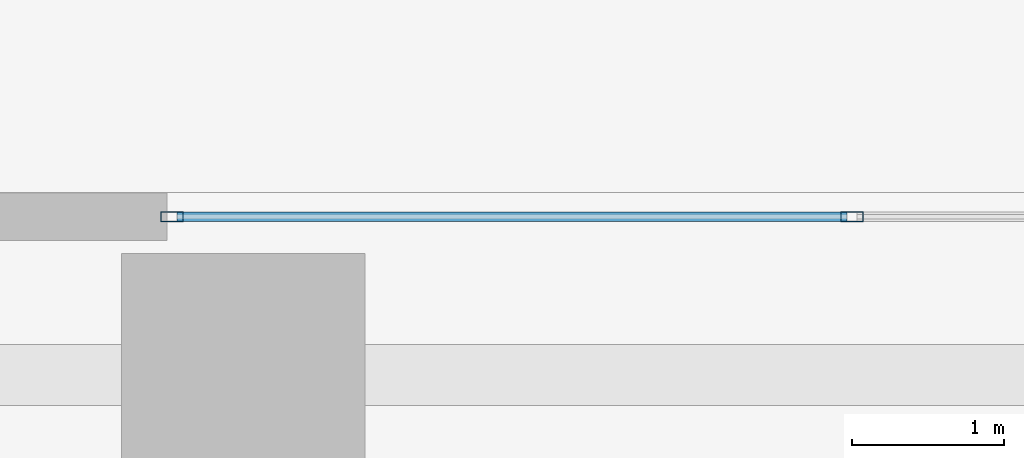
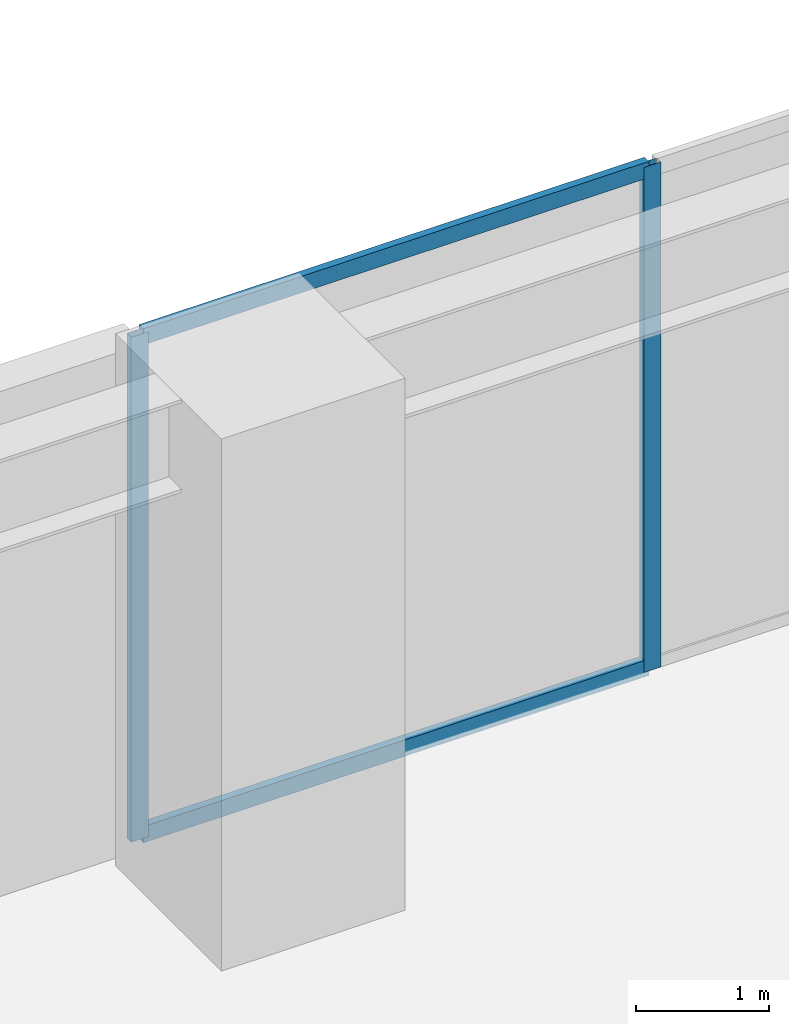
# One storey, part 11 of 28: 4 members, 1 element without a shape of its own.
"""IFC4 building model written with IfcOpenShell, lengths in metres."""

from ifc_helpers import new_model, si_unit, direction, frame, origin, origin_2d, place, context, subcontext, project, spatial, hollow_rectangle, extrude, source, transform, mapped, material, layer, layer_set, material_profile, profile_set, type_object, type_shapes, element, aggregate, save


model = new_model("IFC4")

# Units and contexts
model_context = context("Model", 3, precision=1e-05, world=origin(), true_north=direction((0.0, 1.0)))
body_context = subcontext(model_context, "Body", "Model", "MODEL_VIEW")
ifc_project = project(units=[si_unit("LENGTHUNIT", "METRE"), si_unit("AREAUNIT", "SQUARE_METRE"), si_unit("VOLUMEUNIT", "CUBIC_METRE"), si_unit("PLANEANGLEUNIT", "RADIAN"), si_unit("MASSUNIT", "GRAM", prefix="KILO")], contexts=[model_context])

# Site, building, storey
site_placement = place(None, origin())
site = spatial("IfcSite", under=ifc_project, at=site_placement, CompositionType="ELEMENT")
building_placement = place(site_placement, origin())
building = spatial("IfcBuilding", under=site, at=building_placement, Name="Talar Marvaseh", CompositionType="ELEMENT")
storey_placement = place(building_placement, origin())
storey = spatial("IfcBuildingStorey", under=building, at=storey_placement, Name="L00", CompositionType="ELEMENT", Elevation=0.0)

# Curtain wall, members
ifc_material = material(Name="Architectural Aluminium", Category="aluminium")
ifc_layer = layer(ifc_material, 0.25)
ifc_layer_set = layer_set([ifc_layer], Name="Architectural Aluminium")
curtain_wall_type = type_object("IfcCurtainWallType", Name="Station Podium Monumental Iwan Curtain Wall", PredefinedType="NOTDEFINED", material=ifc_layer_set)
curtain_wall_placement = place(storey_placement, origin())
curtain_wall = element("IfcCurtainWall", 1, at=curtain_wall_placement, inside=storey, type_object=curtain_wall_type, Name="L00 Station Podium Monumental Iwan Curtain Wall", PredefinedType="NOTDEFINED")
ifc_material_profile_1 = material_profile(ifc_material, hollow_rectangle(XDim=0.06494140625, YDim=0.14990234375, WallThickness=0.00390625, at=origin_2d()), Name="RHS150x65x4")
ifc_profile_set_1 = profile_set([ifc_material_profile_1], Name="Architectural Aluminium")
member_type_1 = type_object("IfcMemberType", Name="Unitised Curtain Wall Slim Mullion RHS150x65x4", PredefinedType="MULLION", material=ifc_profile_set_1)
shared_shape_1 = source(origin(), body_context, "Body", "SweptSolid", [
    extrude(hollow_rectangle(XDim=0.06494140625, YDim=0.14990234375, WallThickness=0.00390625, at=origin_2d()), origin(), (0.0, 0.0, 1.0), 4.64990234375),
])
type_shapes(member_type_1, [shared_shape_1])
member_1_placement = place(storey_placement, frame((18.032470703125, 47.840087890625, 0.0), z_axis=(0.0, 0.0, 1.0), x_axis=(0.0, 1.0, 0.0)))
member_1 = element("IfcMember", 2, at=member_1_placement, type_object=member_type_1, Name="CW-POD mullion 1", PredefinedType="MULLION", context=body_context, shape_type="MappedRepresentation", body=[
    mapped(shared_shape_1, transform((0.0, 0.0, 0.0), x_axis=(1.0, 0.0, 0.0), y_axis=(0.0, 1.0, 0.0), z_axis=(0.0, 0.0, 1.0), scale=1.0)),
])
member_2_placement = place(storey_placement, frame((22.5, 47.840087890625, 0.0), z_axis=(0.0, 0.0, 1.0), x_axis=(0.0, 1.0, 0.0)))
member_2 = element("IfcMember", 3, at=member_2_placement, type_object=member_type_1, Name="CW-POD mullion 2", PredefinedType="MULLION", context=body_context, shape_type="MappedRepresentation", body=[
    mapped(shared_shape_1, transform((0.0, 0.0, 0.0), x_axis=(1.0, 0.0, 0.0), y_axis=(0.0, 1.0, 0.0), z_axis=(0.0, 0.0, 1.0), scale=1.0)),
])
ifc_material_profile_2 = material_profile(ifc_material, hollow_rectangle(XDim=0.06494140625, YDim=0.14990234375, WallThickness=0.00390625, at=origin_2d()), Name="RHS150x65x4")
ifc_profile_set_2 = profile_set([ifc_material_profile_2], Name="Architectural Aluminium")
member_type_2 = type_object("IfcMemberType", Name="Unitised Curtain Wall Slim Transom RHS150x65x4", PredefinedType="USERDEFINED", material=ifc_profile_set_2)
shared_shape_2 = source(origin(), body_context, "Body", "SweptSolid", [
    extrude(hollow_rectangle(XDim=0.06494140625, YDim=0.14990234375, WallThickness=0.00390625, at=origin_2d()), origin(), (0.0, 0.0, 1.0), 4.402587890625),
])
type_shapes(member_type_2, [shared_shape_2])
member_3_placement = place(storey_placement, frame((18.06494140625, 47.840087890625, 0.032470703125), z_axis=(1.0, 0.0, 0.0), x_axis=(0.0, 1.0, 0.0)))
member_3 = element("IfcMember", 4, at=member_3_placement, type_object=member_type_2, Name="CW-POD transom 1.1", ObjectType="TRANSOM", PredefinedType="USERDEFINED", context=body_context, shape_type="MappedRepresentation", body=[
    mapped(shared_shape_2, transform((0.0, 0.0, 0.0), x_axis=(1.0, 0.0, 0.0), y_axis=(0.0, 1.0, 0.0), z_axis=(0.0, 0.0, 1.0), scale=1.0)),
])
member_4_placement = place(storey_placement, frame((18.06494140625, 47.840087890625, 4.617431640625), z_axis=(1.0, 0.0, 0.0), x_axis=(0.0, 1.0, 0.0)))
member_4 = element("IfcMember", 5, at=member_4_placement, type_object=member_type_2, Name="CW-POD transom 1.2", ObjectType="TRANSOM", PredefinedType="USERDEFINED", context=body_context, shape_type="MappedRepresentation", body=[
    mapped(shared_shape_2, transform((0.0, 0.0, 0.0), x_axis=(1.0, 0.0, 0.0), y_axis=(0.0, 1.0, 0.0), z_axis=(0.0, 0.0, 1.0), scale=1.0)),
])
aggregate(curtain_wall, [member_1, member_2, member_3, member_4])

save(model, "model.ifc")
